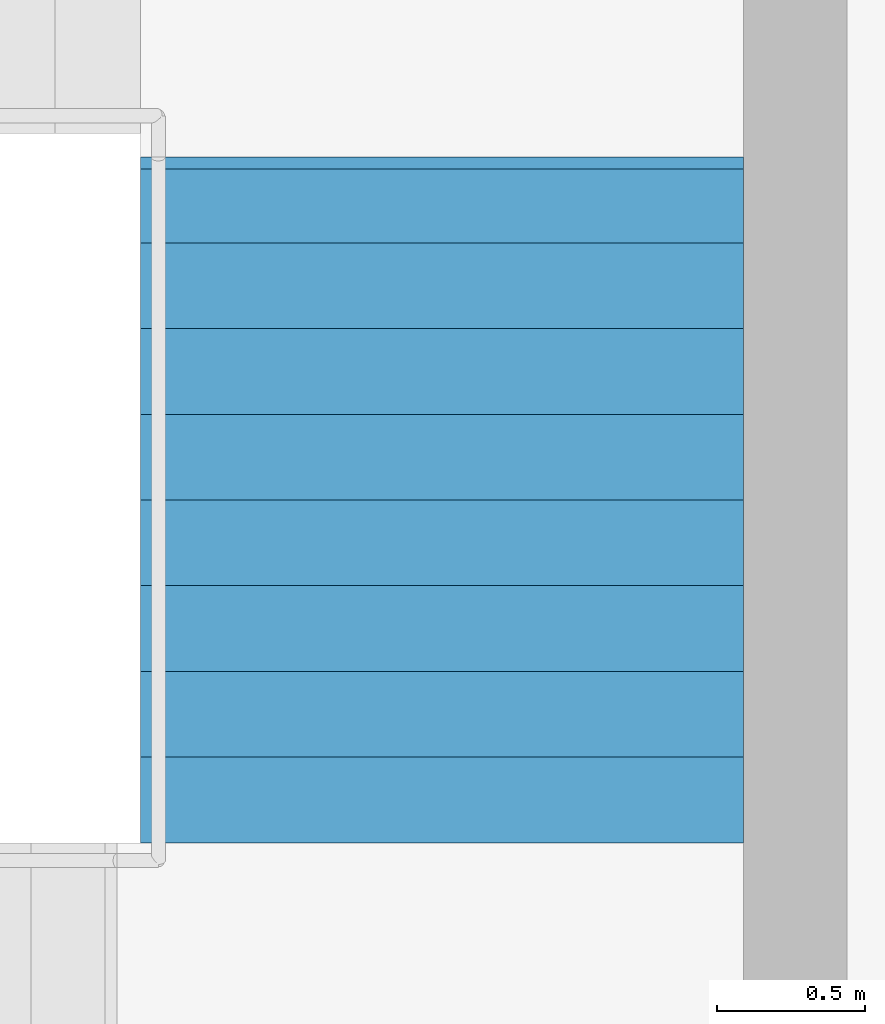
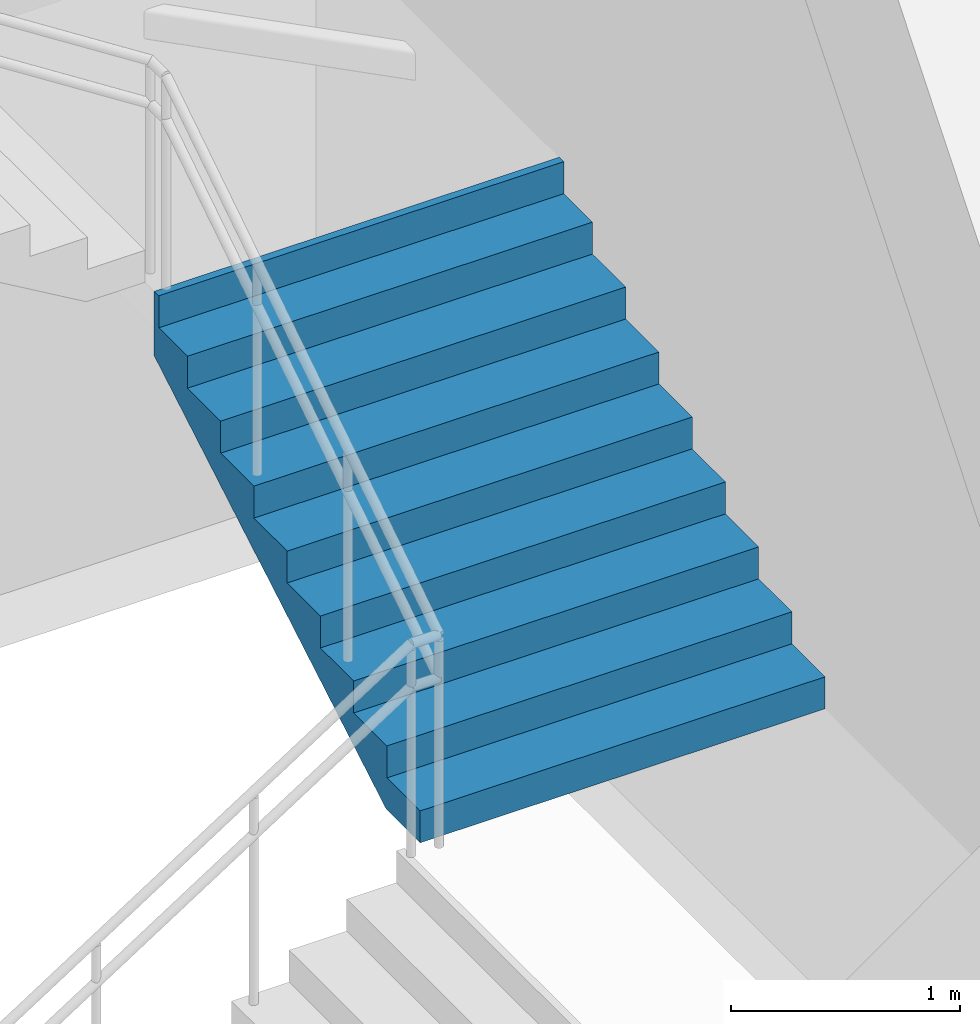
# One storey, part 37 of 46: 1 stair flight, 1 element without a shape of its own.
"""IFC4 building model written with IfcOpenShell, lengths in metres."""

from ifc_helpers import new_model, si_unit, direction, frame, origin, place, context, subcontext, project, spatial, triangles, material, type_object, element, aggregate, save


model = new_model("IFC4")

# Units and contexts
model_context = context("Model", 3, precision=1e-05, world=origin(), true_north=direction((0.0, 1.0)))
body_context = subcontext(model_context, "Body", "Model", "MODEL_VIEW")
ifc_project = project(units=[si_unit("LENGTHUNIT", "METRE"), si_unit("AREAUNIT", "SQUARE_METRE"), si_unit("VOLUMEUNIT", "CUBIC_METRE"), si_unit("PLANEANGLEUNIT", "RADIAN"), si_unit("MASSUNIT", "GRAM", prefix="KILO")], contexts=[model_context])

# Site, building, storey
site_placement = place(None, origin())
site = spatial("IfcSite", under=ifc_project, at=site_placement, CompositionType="ELEMENT")
building_placement = place(site_placement, origin())
building = spatial("IfcBuilding", under=site, at=building_placement, Name="Sillaruma Civic Art Gallery", CompositionType="ELEMENT")
storey_placement = place(building_placement, frame((0.0, 0.0, 16.320068359375)))
storey = spatial("IfcBuildingStorey", under=building, at=storey_placement, Name="L03", CompositionType="ELEMENT", Elevation=16.320068359375)

# Stair, stair flight
ifc_material = material(Name="Concrete H35 (35 MPa)", Category="concrete")
stair_type = type_object("IfcStairType", Name="STR-4F-36", PredefinedType="USERDEFINED", material=ifc_material)
stair_placement = place(storey_placement, origin())
stair = element("IfcStair", 1, at=stair_placement, inside=storey, type_object=stair_type, Name="Protected Exit Stair ST-04 (East Bar) (L03)", ObjectType="THREE_RETURN_STAIR", PredefinedType="USERDEFINED")
stair_flight_type = type_object("IfcStairFlightType", Name="SFL-STR-9", PredefinedType="STRAIGHT", material=ifc_material)
stair_flight_placement = place(storey_placement, frame((104.320068359375, 53.25, 1.530029296875), z_axis=(0.0, 0.0, 1.0), x_axis=(0.0, 1.0, 0.0)))
stair_flight = element("IfcStairFlight", 2, at=stair_flight_placement, type_object=stair_flight_type, Name="ST-04 flight 2", NumberOfRisers=9, NumberOfTreads=8, PredefinedType="STRAIGHT", RiserHeight=0.17, TreadLength=0.29, context=body_context, shape_type="Tessellation", body=[
    triangles([(0.0, -1.02001953125, 0.0), (0.29, -1.02001953125, 0.0), (0.296482, -1.02001953125, 0.0), (0.58, -1.02001953125, 0.1662), (0.87, -1.02001953125, 0.3362), (1.16, -1.02001953125, 0.5062), (1.45, -1.02001953125, 0.6762), (1.74, -1.02001953125, 0.8462), (2.03, -1.02001953125, 1.0162), (2.280068, -1.02001953125, 1.162792), (2.320068, -1.02001953125, 1.18624), (2.320068, -1.02001953125, 1.53), (2.280068, -1.02001953125, 1.53), (2.280068, -1.02001953125, 1.36), (2.03, -1.02001953125, 1.36), (2.03, -1.02001953125, 1.19), (1.74, -1.02001953125, 1.19), (1.74, -1.02001953125, 1.02), (1.45, -1.02001953125, 1.02), (1.45, -1.02001953125, 0.85), (1.16, -1.02001953125, 0.85), (1.16, -1.02001953125, 0.68), (0.87, -1.02001953125, 0.68), (0.87, -1.02001953125, 0.51), (0.58, -1.02001953125, 0.51), (0.58, -1.02001953125, 0.34), (0.296482, -1.02001953125, 0.34), (0.29, -1.02001953125, 0.34), (0.29, -1.02001953125, 0.17), (0.0, -1.02001953125, 0.17), (0.0, -0.05, 0.0), (0.29, -0.05, 0.0), (0.296482, -0.05, 0.0), (0.58, -0.05, 0.1662), (0.87, -0.05, 0.3362), (1.16, -0.05, 0.5062), (1.45, -0.05, 0.6762), (1.74, -0.05, 0.8462), (2.03, -0.05, 1.0162), (2.280068, -0.05, 1.162792), (2.320068, -0.05, 1.18624), (2.320068, -0.05, 1.53), (2.280068, -0.05, 1.53), (2.280068, -0.05, 1.36), (2.03, -0.05, 1.36), (2.03, -0.05, 1.19), (1.74, -0.05, 1.19), (1.74, -0.05, 1.02), (1.45, -0.05, 1.02), (1.45, -0.05, 0.85), (1.16, -0.05, 0.85), (1.16, -0.05, 0.68), (0.87, -0.05, 0.68), (0.87, -0.05, 0.51), (0.58, -0.05, 0.51), (0.58, -0.05, 0.34), (0.296482, -0.05, 0.34), (0.29, -0.05, 0.34), (0.29, -0.05, 0.17), (0.0, -0.05, 0.17), (0.0, -0.0375, 0.0), (0.29, -0.0375, 0.0), (0.296482, -0.0375, 0.0), (0.58, -0.0375, 0.1662), (0.87, -0.0375, 0.3362), (1.16, -0.0375, 0.5062), (1.45, -0.0375, 0.6762), (1.74, -0.0375, 0.8462), (2.03, -0.0375, 1.0162), (2.280068, -0.0375, 1.162792), (2.320068, -0.0375, 1.18624), (2.320068, -0.0375, 1.53), (2.280068, -0.0375, 1.53), (2.280068, -0.0375, 1.36), (2.03, -0.0375, 1.36), (2.03, -0.0375, 1.19), (1.74, -0.0375, 1.19), (1.74, -0.0375, 1.02), (1.45, -0.0375, 1.02), (1.45, -0.0375, 0.85), (1.16, -0.0375, 0.85), (1.16, -0.0375, 0.68), (0.87, -0.0375, 0.68), (0.87, -0.0375, 0.51), (0.58, -0.0375, 0.51), (0.58, -0.0375, 0.34), (0.296482, -0.0375, 0.34), (0.29, -0.0375, 0.34), (0.29, -0.0375, 0.17), (0.0, -0.0375, 0.17), (0.0, -0.025, 0.0), (0.29, -0.025, 0.0), (0.296482, -0.025, 0.0), (0.58, -0.025, 0.1662), (0.87, -0.025, 0.3362), (1.16, -0.025, 0.5062), (1.45, -0.025, 0.6762), (1.74, -0.025, 0.8462), (2.03, -0.025, 1.0162), (2.280068, -0.025, 1.162792), (2.320068, -0.025, 1.18624), (2.320068, -0.025, 1.53), (2.280068, -0.025, 1.53), (2.280068, -0.025, 1.36), (2.03, -0.025, 1.36), (2.03, -0.025, 1.19), (1.74, -0.025, 1.19), (1.74, -0.025, 1.02), (1.45, -0.025, 1.02), (1.45, -0.025, 0.85), (1.16, -0.025, 0.85), (1.16, -0.025, 0.68), (0.87, -0.025, 0.68), (0.87, -0.025, 0.51), (0.58, -0.025, 0.51), (0.58, -0.025, 0.34), (0.296482, -0.025, 0.34), (0.29, -0.025, 0.34), (0.29, -0.025, 0.17), (0.0, -0.025, 0.17), (0.0, -0.0125, 0.0), (0.29, -0.0125, 0.0), (0.296482, -0.0125, 0.0), (0.58, -0.0125, 0.1662), (0.87, -0.0125, 0.3362), (1.16, -0.0125, 0.5062), (1.45, -0.0125, 0.6762), (1.74, -0.0125, 0.8462), (2.03, -0.0125, 1.0162), (2.280068, -0.0125, 1.162792), (2.320068, -0.0125, 1.18624), (2.320068, -0.0125, 1.53), (2.280068, -0.0125, 1.53), (2.280068, -0.0125, 1.36), (2.03, -0.0125, 1.36), (2.03, -0.0125, 1.19), (1.74, -0.0125, 1.19), (1.74, -0.0125, 1.02), (1.45, -0.0125, 1.02), (1.45, -0.0125, 0.85), (1.16, -0.0125, 0.85), (1.16, -0.0125, 0.68), (0.87, -0.0125, 0.68), (0.87, -0.0125, 0.51), (0.58, -0.0125, 0.51), (0.58, -0.0125, 0.34), (0.296482, -0.0125, 0.34), (0.29, -0.0125, 0.34), (0.29, -0.0125, 0.17), (0.0, -0.0125, 0.17), (0.0, 0.0, 0.0), (0.29, 0.0, 0.0), (0.296482, 0.0, 0.0), (0.58, 0.0, 0.1662), (0.87, 0.0, 0.3362), (1.16, 0.0, 0.5062), (1.45, 0.0, 0.6762), (1.74, 0.0, 0.8462), (2.03, 0.0, 1.0162), (2.280068, 0.0, 1.162792), (2.320068, 0.0, 1.18624), (2.320068, 0.0, 1.53), (2.280068, 0.0, 1.53), (2.280068, 0.0, 1.36), (2.03, 0.0, 1.36), (2.03, 0.0, 1.19), (1.74, 0.0, 1.19), (1.74, 0.0, 1.02), (1.45, 0.0, 1.02), (1.45, 0.0, 0.85), (1.16, 0.0, 0.85), (1.16, 0.0, 0.68), (0.87, 0.0, 0.68), (0.87, 0.0, 0.51), (0.58, 0.0, 0.51), (0.58, 0.0, 0.34), (0.296482, 0.0, 0.34), (0.29, 0.0, 0.34), (0.29, 0.0, 0.17), (0.0, 0.0, 0.17), (0.0, 0.0125, 0.0), (0.29, 0.0125, 0.0), (0.296482, 0.0125, 0.0), (0.58, 0.0125, 0.1662), (0.87, 0.0125, 0.3362), (1.16, 0.0125, 0.5062), (1.45, 0.0125, 0.6762), (1.74, 0.0125, 0.8462), (2.03, 0.0125, 1.0162), (2.280068, 0.0125, 1.162792), (2.320068, 0.0125, 1.18624), (2.320068, 0.0125, 1.53), (2.280068, 0.0125, 1.53), (2.280068, 0.0125, 1.36), (2.03, 0.0125, 1.36), (2.03, 0.0125, 1.19), (1.74, 0.0125, 1.19), (1.74, 0.0125, 1.02), (1.45, 0.0125, 1.02), (1.45, 0.0125, 0.85), (1.16, 0.0125, 0.85), (1.16, 0.0125, 0.68), (0.87, 0.0125, 0.68), (0.87, 0.0125, 0.51), (0.58, 0.0125, 0.51), (0.58, 0.0125, 0.34), (0.296482, 0.0125, 0.34), (0.29, 0.0125, 0.34), (0.29, 0.0125, 0.17), (0.0, 0.0125, 0.17), (0.0, 0.025, 0.0), (0.29, 0.025, 0.0), (0.296482, 0.025, 0.0), (0.58, 0.025, 0.1662), (0.87, 0.025, 0.3362), (1.16, 0.025, 0.5062), (1.45, 0.025, 0.6762), (1.74, 0.025, 0.8462), (2.03, 0.025, 1.0162), (2.280068, 0.025, 1.162792), (2.320068, 0.025, 1.18624), (2.320068, 0.025, 1.53), (2.280068, 0.025, 1.53), (2.280068, 0.025, 1.36), (2.03, 0.025, 1.36), (2.03, 0.025, 1.19), (1.74, 0.025, 1.19), (1.74, 0.025, 1.02), (1.45, 0.025, 1.02), (1.45, 0.025, 0.85), (1.16, 0.025, 0.85), (1.16, 0.025, 0.68), (0.87, 0.025, 0.68), (0.87, 0.025, 0.51), (0.58, 0.025, 0.51), (0.58, 0.025, 0.34), (0.296482, 0.025, 0.34), (0.29, 0.025, 0.34), (0.29, 0.025, 0.17), (0.0, 0.025, 0.17), (0.0, 0.0375, 0.0), (0.29, 0.0375, 0.0), (0.296482, 0.0375, 0.0), (0.58, 0.0375, 0.1662), (0.87, 0.0375, 0.3362), (1.16, 0.0375, 0.5062), (1.45, 0.0375, 0.6762), (1.74, 0.0375, 0.8462), (2.03, 0.0375, 1.0162), (2.280068, 0.0375, 1.162792), (2.320068, 0.0375, 1.18624), (2.320068, 0.0375, 1.53), (2.280068, 0.0375, 1.53), (2.280068, 0.0375, 1.36), (2.03, 0.0375, 1.36), (2.03, 0.0375, 1.19), (1.74, 0.0375, 1.19), (1.74, 0.0375, 1.02), (1.45, 0.0375, 1.02), (1.45, 0.0375, 0.85), (1.16, 0.0375, 0.85), (1.16, 0.0375, 0.68), (0.87, 0.0375, 0.68), (0.87, 0.0375, 0.51), (0.58, 0.0375, 0.51), (0.58, 0.0375, 0.34), (0.296482, 0.0375, 0.34), (0.29, 0.0375, 0.34), (0.29, 0.0375, 0.17), (0.0, 0.0375, 0.17), (0.0, 0.05, 0.0), (0.29, 0.05, 0.0), (0.296482, 0.05, 0.0), (0.58, 0.05, 0.1662), (0.87, 0.05, 0.3362), (1.16, 0.05, 0.5062), (1.45, 0.05, 0.6762), (1.74, 0.05, 0.8462), (2.03, 0.05, 1.0162), (2.280068, 0.05, 1.162792), (2.320068, 0.05, 1.18624), (2.320068, 0.05, 1.53), (2.280068, 0.05, 1.53), (2.280068, 0.05, 1.36), (2.03, 0.05, 1.36), (2.03, 0.05, 1.19), (1.74, 0.05, 1.19), (1.74, 0.05, 1.02), (1.45, 0.05, 1.02), (1.45, 0.05, 0.85), (1.16, 0.05, 0.85), (1.16, 0.05, 0.68), (0.87, 0.05, 0.68), (0.87, 0.05, 0.51), (0.58, 0.05, 0.51), (0.58, 0.05, 0.34), (0.296482, 0.05, 0.34), (0.29, 0.05, 0.34), (0.29, 0.05, 0.17), (0.0, 0.05, 0.17), (0.0, 1.02001953125, 0.0), (0.29, 1.02001953125, 0.0), (0.296482, 1.02001953125, 0.0), (0.58, 1.02001953125, 0.1662), (0.87, 1.02001953125, 0.3362), (1.16, 1.02001953125, 0.5062), (1.45, 1.02001953125, 0.6762), (1.74, 1.02001953125, 0.8462), (2.03, 1.02001953125, 1.0162), (2.280068, 1.02001953125, 1.162792), (2.320068, 1.02001953125, 1.18624), (2.320068, 1.02001953125, 1.53), (2.280068, 1.02001953125, 1.53), (2.280068, 1.02001953125, 1.36), (2.03, 1.02001953125, 1.36), (2.03, 1.02001953125, 1.19), (1.74, 1.02001953125, 1.19), (1.74, 1.02001953125, 1.02), (1.45, 1.02001953125, 1.02), (1.45, 1.02001953125, 0.85), (1.16, 1.02001953125, 0.85), (1.16, 1.02001953125, 0.68), (0.87, 1.02001953125, 0.68), (0.87, 1.02001953125, 0.51), (0.58, 1.02001953125, 0.51), (0.58, 1.02001953125, 0.34), (0.296482, 1.02001953125, 0.34), (0.29, 1.02001953125, 0.34), (0.29, 1.02001953125, 0.17), (0.0, 1.02001953125, 0.17)], [[1, 2, 29], [1, 29, 30], [2, 3, 27], [2, 27, 29], [29, 27, 28], [3, 4, 26], [3, 26, 27], [4, 5, 24], [4, 24, 26], [26, 24, 25], [5, 6, 22], [5, 22, 24], [24, 22, 23], [6, 7, 20], [6, 20, 22], [22, 20, 21], [7, 8, 18], [7, 18, 20], [20, 18, 19], [8, 9, 16], [8, 16, 18], [18, 16, 17], [9, 10, 14], [9, 14, 16], [16, 14, 15], [10, 11, 12], [10, 12, 14], [14, 12, 13], [329, 302, 301], [330, 329, 301], [327, 303, 302], [329, 327, 302], [328, 327, 329], [326, 304, 303], [327, 326, 303], [324, 305, 304], [326, 324, 304], [325, 324, 326], [322, 306, 305], [324, 322, 305], [323, 322, 324], [320, 307, 306], [322, 320, 306], [321, 320, 322], [318, 308, 307], [320, 318, 307], [319, 318, 320], [316, 309, 308], [318, 316, 308], [317, 316, 318], [314, 310, 309], [316, 314, 309], [315, 314, 316], [312, 311, 310], [314, 312, 310], [313, 312, 314], [2, 1, 31], [2, 31, 32], [3, 2, 32], [3, 32, 33], [4, 3, 33], [4, 33, 34], [5, 4, 34], [5, 34, 35], [6, 5, 35], [6, 35, 36], [7, 6, 36], [7, 36, 37], [8, 7, 37], [8, 37, 38], [9, 8, 38], [9, 38, 39], [10, 9, 39], [10, 39, 40], [11, 10, 40], [11, 40, 41], [12, 11, 41], [12, 41, 42], [13, 12, 42], [13, 42, 43], [14, 13, 43], [14, 43, 44], [15, 14, 44], [15, 44, 45], [16, 15, 45], [16, 45, 46], [17, 16, 46], [17, 46, 47], [18, 17, 47], [18, 47, 48], [19, 18, 48], [19, 48, 49], [20, 19, 49], [20, 49, 50], [21, 20, 50], [21, 50, 51], [22, 21, 51], [22, 51, 52], [23, 22, 52], [23, 52, 53], [24, 23, 53], [24, 53, 54], [25, 24, 54], [25, 54, 55], [26, 25, 55], [26, 55, 56], [27, 26, 56], [27, 56, 57], [28, 27, 57], [28, 57, 58], [29, 28, 58], [29, 58, 59], [30, 29, 59], [30, 59, 60], [1, 30, 60], [1, 60, 31], [32, 31, 61], [32, 61, 62], [33, 32, 62], [33, 62, 63], [34, 33, 63], [34, 63, 64], [35, 34, 64], [35, 64, 65], [36, 35, 65], [36, 65, 66], [37, 36, 66], [37, 66, 67], [38, 37, 67], [38, 67, 68], [39, 38, 68], [39, 68, 69], [40, 39, 69], [40, 69, 70], [41, 40, 70], [41, 70, 71], [42, 41, 71], [42, 71, 72], [43, 42, 72], [43, 72, 73], [44, 43, 73], [44, 73, 74], [45, 44, 74], [45, 74, 75], [46, 45, 75], [46, 75, 76], [47, 46, 76], [47, 76, 77], [48, 47, 77], [48, 77, 78], [49, 48, 78], [49, 78, 79], [50, 49, 79], [50, 79, 80], [51, 50, 80], [51, 80, 81], [52, 51, 81], [52, 81, 82], [53, 52, 82], [53, 82, 83], [54, 53, 83], [54, 83, 84], [55, 54, 84], [55, 84, 85], [56, 55, 85], [56, 85, 86], [57, 56, 86], [57, 86, 87], [58, 57, 87], [58, 87, 88], [59, 58, 88], [59, 88, 89], [60, 59, 89], [60, 89, 90], [31, 60, 90], [31, 90, 61], [62, 61, 91], [62, 91, 92], [63, 62, 92], [63, 92, 93], [64, 63, 93], [64, 93, 94], [65, 64, 94], [65, 94, 95], [66, 65, 95], [66, 95, 96], [67, 66, 96], [67, 96, 97], [68, 67, 97], [68, 97, 98], [69, 68, 98], [69, 98, 99], [70, 69, 99], [70, 99, 100], [71, 70, 100], [71, 100, 101], [72, 71, 101], [72, 101, 102], [73, 72, 102], [73, 102, 103], [74, 73, 103], [74, 103, 104], [75, 74, 104], [75, 104, 105], [76, 75, 105], [76, 105, 106], [77, 76, 106], [77, 106, 107], [78, 77, 107], [78, 107, 108], [79, 78, 108], [79, 108, 109], [80, 79, 109], [80, 109, 110], [81, 80, 110], [81, 110, 111], [82, 81, 111], [82, 111, 112], [83, 82, 112], [83, 112, 113], [84, 83, 113], [84, 113, 114], [85, 84, 114], [85, 114, 115], [86, 85, 115], [86, 115, 116], [87, 86, 116], [87, 116, 117], [88, 87, 117], [88, 117, 118], [89, 88, 118], [89, 118, 119], [90, 89, 119], [90, 119, 120], [61, 90, 120], [61, 120, 91], [92, 91, 121], [92, 121, 122], [93, 92, 122], [93, 122, 123], [94, 93, 123], [94, 123, 124], [95, 94, 124], [95, 124, 125], [96, 95, 125], [96, 125, 126], [97, 96, 126], [97, 126, 127], [98, 97, 127], [98, 127, 128], [99, 98, 128], [99, 128, 129], [100, 99, 129], [100, 129, 130], [101, 100, 130], [101, 130, 131], [102, 101, 131], [102, 131, 132], [103, 102, 132], [103, 132, 133], [104, 103, 133], [104, 133, 134], [105, 104, 134], [105, 134, 135], [106, 105, 135], [106, 135, 136], [107, 106, 136], [107, 136, 137], [108, 107, 137], [108, 137, 138], [109, 108, 138], [109, 138, 139], [110, 109, 139], [110, 139, 140], [111, 110, 140], [111, 140, 141], [112, 111, 141], [112, 141, 142], [113, 112, 142], [113, 142, 143], [114, 113, 143], [114, 143, 144], [115, 114, 144], [115, 144, 145], [116, 115, 145], [116, 145, 146], [117, 116, 146], [117, 146, 147], [118, 117, 147], [118, 147, 148], [119, 118, 148], [119, 148, 149], [120, 119, 149], [120, 149, 150], [91, 120, 150], [91, 150, 121], [122, 121, 151], [122, 151, 152], [123, 122, 152], [123, 152, 153], [124, 123, 153], [124, 153, 154], [125, 124, 154], [125, 154, 155], [126, 125, 155], [126, 155, 156], [127, 126, 156], [127, 156, 157], [128, 127, 157], [128, 157, 158], [129, 128, 158], [129, 158, 159], [130, 129, 159], [130, 159, 160], [131, 130, 160], [131, 160, 161], [132, 131, 161], [132, 161, 162], [133, 132, 162], [133, 162, 163], [134, 133, 163], [134, 163, 164], [135, 134, 164], [135, 164, 165], [136, 135, 165], [136, 165, 166], [137, 136, 166], [137, 166, 167], [138, 137, 167], [138, 167, 168], [139, 138, 168], [139, 168, 169], [140, 139, 169], [140, 169, 170], [141, 140, 170], [141, 170, 171], [142, 141, 171], [142, 171, 172], [143, 142, 172], [143, 172, 173], [144, 143, 173], [144, 173, 174], [145, 144, 174], [145, 174, 175], [146, 145, 175], [146, 175, 176], [147, 146, 176], [147, 176, 177], [148, 147, 177], [148, 177, 178], [149, 148, 178], [149, 178, 179], [150, 149, 179], [150, 179, 180], [121, 150, 180], [121, 180, 151], [152, 151, 181], [152, 181, 182], [153, 152, 182], [153, 182, 183], [154, 153, 183], [154, 183, 184], [155, 154, 184], [155, 184, 185], [156, 155, 185], [156, 185, 186], [157, 156, 186], [157, 186, 187], [158, 157, 187], [158, 187, 188], [159, 158, 188], [159, 188, 189], [160, 159, 189], [160, 189, 190], [161, 160, 190], [161, 190, 191], [162, 161, 191], [162, 191, 192], [163, 162, 192], [163, 192, 193], [164, 163, 193], [164, 193, 194], [165, 164, 194], [165, 194, 195], [166, 165, 195], [166, 195, 196], [167, 166, 196], [167, 196, 197], [168, 167, 197], [168, 197, 198], [169, 168, 198], [169, 198, 199], [170, 169, 199], [170, 199, 200], [171, 170, 200], [171, 200, 201], [172, 171, 201], [172, 201, 202], [173, 172, 202], [173, 202, 203], [174, 173, 203], [174, 203, 204], [175, 174, 204], [175, 204, 205], [176, 175, 205], [176, 205, 206], [177, 176, 206], [177, 206, 207], [178, 177, 207], [178, 207, 208], [179, 178, 208], [179, 208, 209], [180, 179, 209], [180, 209, 210], [151, 180, 210], [151, 210, 181], [182, 181, 211], [182, 211, 212], [183, 182, 212], [183, 212, 213], [184, 183, 213], [184, 213, 214], [185, 184, 214], [185, 214, 215], [186, 185, 215], [186, 215, 216], [187, 186, 216], [187, 216, 217], [188, 187, 217], [188, 217, 218], [189, 188, 218], [189, 218, 219], [190, 189, 219], [190, 219, 220], [191, 190, 220], [191, 220, 221], [192, 191, 221], [192, 221, 222], [193, 192, 222], [193, 222, 223], [194, 193, 223], [194, 223, 224], [195, 194, 224], [195, 224, 225], [196, 195, 225], [196, 225, 226], [197, 196, 226], [197, 226, 227], [198, 197, 227], [198, 227, 228], [199, 198, 228], [199, 228, 229], [200, 199, 229], [200, 229, 230], [201, 200, 230], [201, 230, 231], [202, 201, 231], [202, 231, 232], [203, 202, 232], [203, 232, 233], [204, 203, 233], [204, 233, 234], [205, 204, 234], [205, 234, 235], [206, 205, 235], [206, 235, 236], [207, 206, 236], [207, 236, 237], [208, 207, 237], [208, 237, 238], [209, 208, 238], [209, 238, 239], [210, 209, 239], [210, 239, 240], [181, 210, 240], [181, 240, 211], [212, 211, 241], [212, 241, 242], [213, 212, 242], [213, 242, 243], [214, 213, 243], [214, 243, 244], [215, 214, 244], [215, 244, 245], [216, 215, 245], [216, 245, 246], [217, 216, 246], [217, 246, 247], [218, 217, 247], [218, 247, 248], [219, 218, 248], [219, 248, 249], [220, 219, 249], [220, 249, 250], [221, 220, 250], [221, 250, 251], [222, 221, 251], [222, 251, 252], [223, 222, 252], [223, 252, 253], [224, 223, 253], [224, 253, 254], [225, 224, 254], [225, 254, 255], [226, 225, 255], [226, 255, 256], [227, 226, 256], [227, 256, 257], [228, 227, 257], [228, 257, 258], [229, 228, 258], [229, 258, 259], [230, 229, 259], [230, 259, 260], [231, 230, 260], [231, 260, 261], [232, 231, 261], [232, 261, 262], [233, 232, 262], [233, 262, 263], [234, 233, 263], [234, 263, 264], [235, 234, 264], [235, 264, 265], [236, 235, 265], [236, 265, 266], [237, 236, 266], [237, 266, 267], [238, 237, 267], [238, 267, 268], [239, 238, 268], [239, 268, 269], [240, 239, 269], [240, 269, 270], [211, 240, 270], [211, 270, 241], [242, 241, 271], [242, 271, 272], [243, 242, 272], [243, 272, 273], [244, 243, 273], [244, 273, 274], [245, 244, 274], [245, 274, 275], [246, 245, 275], [246, 275, 276], [247, 246, 276], [247, 276, 277], [248, 247, 277], [248, 277, 278], [249, 248, 278], [249, 278, 279], [250, 249, 279], [250, 279, 280], [251, 250, 280], [251, 280, 281], [252, 251, 281], [252, 281, 282], [253, 252, 282], [253, 282, 283], [254, 253, 283], [254, 283, 284], [255, 254, 284], [255, 284, 285], [256, 255, 285], [256, 285, 286], [257, 256, 286], [257, 286, 287], [258, 257, 287], [258, 287, 288], [259, 258, 288], [259, 288, 289], [260, 259, 289], [260, 289, 290], [261, 260, 290], [261, 290, 291], [262, 261, 291], [262, 291, 292], [263, 262, 292], [263, 292, 293], [264, 263, 293], [264, 293, 294], [265, 264, 294], [265, 294, 295], [266, 265, 295], [266, 295, 296], [267, 266, 296], [267, 296, 297], [268, 267, 297], [268, 297, 298], [269, 268, 298], [269, 298, 299], [270, 269, 299], [270, 299, 300], [241, 270, 300], [241, 300, 271], [272, 271, 301], [272, 301, 302], [273, 272, 302], [273, 302, 303], [274, 273, 303], [274, 303, 304], [275, 274, 304], [275, 304, 305], [276, 275, 305], [276, 305, 306], [277, 276, 306], [277, 306, 307], [278, 277, 307], [278, 307, 308], [279, 278, 308], [279, 308, 309], [280, 279, 309], [280, 309, 310], [281, 280, 310], [281, 310, 311], [282, 281, 311], [282, 311, 312], [283, 282, 312], [283, 312, 313], [284, 283, 313], [284, 313, 314], [285, 284, 314], [285, 314, 315], [286, 285, 315], [286, 315, 316], [287, 286, 316], [287, 316, 317], [288, 287, 317], [288, 317, 318], [289, 288, 318], [289, 318, 319], [290, 289, 319], [290, 319, 320], [291, 290, 320], [291, 320, 321], [292, 291, 321], [292, 321, 322], [293, 292, 322], [293, 322, 323], [294, 293, 323], [294, 323, 324], [295, 294, 324], [295, 324, 325], [296, 295, 325], [296, 325, 326], [297, 296, 326], [297, 326, 327], [298, 297, 327], [298, 327, 328], [299, 298, 328], [299, 328, 329], [300, 299, 329], [300, 329, 330], [271, 300, 330], [271, 330, 301]], closed=True),
])
aggregate(stair, [stair_flight])

save(model, "model.ifc")
